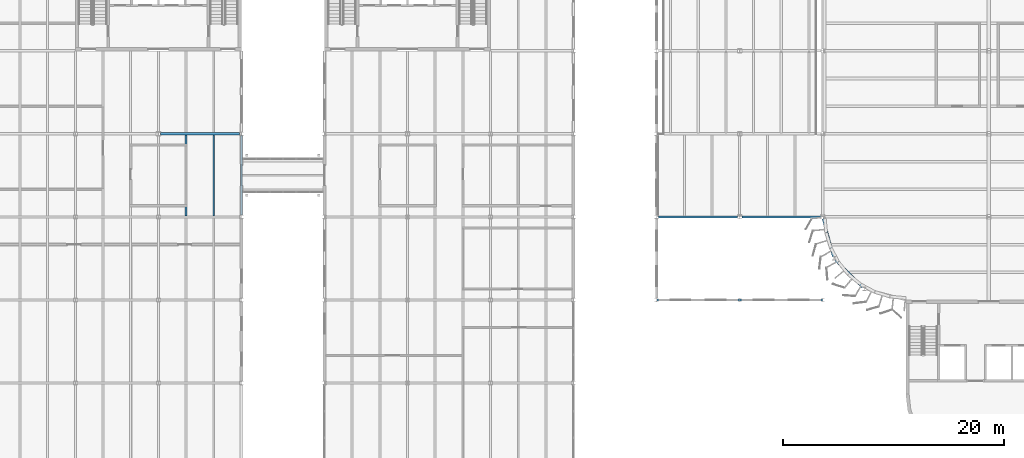
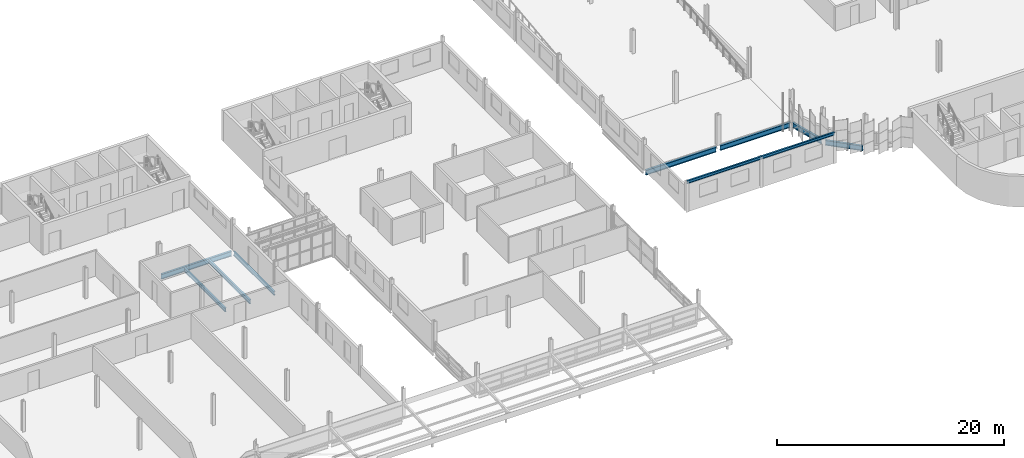
# One storey, part 50 of 214: 9 beams.
"""IFC4 building model written with IfcOpenShell, lengths in metres."""

from ifc_helpers import new_model, si_unit, direction, frame, origin, origin_2d, place, context, subcontext, project, spatial, i_section, extrude, material, material_profile, profile_set, type_object, element, save


model = new_model("IFC4")

# Units and contexts
model_context = context("Model", 3, precision=1e-05, world=origin(), true_north=direction((0.0, 1.0)))
body_context = subcontext(model_context, "Body", "Model", "MODEL_VIEW")
ifc_project = project(units=[si_unit("LENGTHUNIT", "METRE"), si_unit("AREAUNIT", "SQUARE_METRE"), si_unit("VOLUMEUNIT", "CUBIC_METRE"), si_unit("PLANEANGLEUNIT", "RADIAN"), si_unit("MASSUNIT", "GRAM", prefix="KILO")], contexts=[model_context])

# Site, building, storey
site_placement = place(None, origin())
site = spatial("IfcSite", under=ifc_project, at=site_placement, CompositionType="ELEMENT")
building_placement = place(site_placement, origin())
building = spatial("IfcBuilding", under=site, at=building_placement, Name="Parallax Yard Mobility Hub", CompositionType="ELEMENT")
storey_placement = place(building_placement, frame((0.0, 0.0, 3.300048828125)))
storey = spatial("IfcBuildingStorey", under=building, at=storey_placement, Name="L01", CompositionType="ELEMENT", Elevation=3.300048828125)

# Beams
ifc_material = material(Name="Steel ASTM A992", Category="steel")
ifc_material_profile_1 = material_profile(ifc_material, i_section(OverallWidth=0.1650390625, OverallDepth=0.31005859375, WebThickness=0.005859375, FlangeThickness=0.009765625, at=origin_2d()), Name="W310x39")
ifc_profile_set_1 = profile_set([ifc_material_profile_1], Name="Steel ASTM A992")
beam_type_1 = type_object("IfcBeamType", Name="South edge beam W310x39", PredefinedType="BEAM", material=ifc_profile_set_1)
beam_1_placement = place(storey_placement, frame((180.0, 22.5, 3.14501953125), z_axis=(1.0, 0.0, 0.0), x_axis=(0.0, 1.0, 0.0)))
element("IfcBeam", 1, at=beam_1_placement, inside=storey, type_object=beam_type_1, Name="South edge beam level L02 of the ramp house", PredefinedType="BEAM", context=body_context, shape_type="SweptSolid", body=[
    extrude(i_section(OverallWidth=0.1650390625, OverallDepth=0.31005859375, WebThickness=0.005859375, FlangeThickness=0.009765625, at=origin_2d()), origin(), (0.0, 0.0, 1.0), 15.0),
])
ifc_material_profile_2 = material_profile(ifc_material, i_section(OverallWidth=0.177978515625, OverallDepth=0.406005859375, WebThickness=0.0078125, FlangeThickness=0.0126953125, FilletRadius=0.01025390625, at=origin_2d()), Name="W410x60")
ifc_profile_set_2 = profile_set([ifc_material_profile_2], Name="Steel ASTM A992")
beam_type_2 = type_object("IfcBeamType", Name="W410x60 secondary beam", PredefinedType="JOIST", material=ifc_profile_set_2)
for number, where, z_axis, x_axis, name in (
    (2, (137.5, 30.1044921875, -0.343017578125), (0.0, 1.0, 0.0), (-1.0, 0.0, 0.0), "Secondary beam B1 level L01, 2.5 m east of line 19 of mobility service centre and workshops, span 4"),
    (3, (140.0, 30.1044921875, -0.343017578125), (0.0, 1.0, 0.0), (-1.0, 0.0, 0.0), "Secondary beam B1 level L01, 5 m east of line 19 of mobility service centre and workshops, span 4"),
):
    element("IfcBeam", number, at=place(storey_placement, frame(where, z_axis=z_axis, x_axis=x_axis)), inside=storey, type_object=beam_type_2, Name=name, PredefinedType="JOIST", context=body_context, shape_type="SweptSolid", body=[
        extrude(i_section(OverallWidth=0.177978515625, OverallDepth=0.406005859375, WebThickness=0.0078125, FlangeThickness=0.0126953125, FilletRadius=0.01025390625, at=origin_2d()), origin(), (0.0, 0.0, 1.0), 7.291015625),
    ])
ifc_material_profile_3 = material_profile(ifc_material, i_section(OverallWidth=0.178955078125, OverallDepth=0.408935546875, WebThickness=0.0087890625, FlangeThickness=0.014404296875, FilletRadius=0.01025390625, at=origin_2d()), Name="W410x67")
ifc_profile_set_3 = profile_set([ifc_material_profile_3], Name="Steel ASTM A992")
beam_type_3 = type_object("IfcBeamType", Name="W410x67 edge beam", PredefinedType="SPANDREL", material=ifc_profile_set_3)
beam_2_placement = place(storey_placement, frame((142.5, 30.153564453125, -0.344482421875), z_axis=(0.0, 1.0, 0.0), x_axis=(-1.0, 0.0, 0.0)))
element("IfcBeam", 4, at=beam_2_placement, inside=storey, type_object=beam_type_3, Name="Edge beam SB3 level L01, line 20 of mobility service centre and workshops, span 4", PredefinedType="SPANDREL", context=body_context, shape_type="SweptSolid", body=[
    extrude(i_section(OverallWidth=0.178955078125, OverallDepth=0.408935546875, WebThickness=0.0087890625, FlangeThickness=0.014404296875, FilletRadius=0.01025390625, at=origin_2d()), origin(), (0.0, 0.0, 1.0), 7.184814453125),
])
ifc_material_profile_4 = material_profile(ifc_material, i_section(OverallWidth=0.208984375, OverallDepth=0.532958984375, WebThickness=0.01025390625, FlangeThickness=0.015625, FilletRadius=0.0126953125, at=origin_2d()), Name="W530x92")
ifc_profile_set_4 = profile_set([ifc_material_profile_4], Name="Steel ASTM A992")
beam_type_4 = type_object("IfcBeamType", Name="W530x92 edge beam", PredefinedType="SPANDREL", material=ifc_profile_set_4)
beam_3_placement = place(storey_placement, frame((195.04150390625, 29.844970703125, -0.406494140625), z_axis=(0.258818289619, -0.96592602872, 0.0), x_axis=(0.96592602872, 0.258818289619, 0.0)))
element("IfcBeam", 5, at=beam_3_placement, inside=storey, type_object=beam_type_4, Name="Edge beam SB5 level L01, the south end of ramped parking decks, span 1", PredefinedType="SPANDREL", context=body_context, shape_type="SweptSolid", body=[
    extrude(i_section(OverallWidth=0.208984375, OverallDepth=0.532958984375, WebThickness=0.01025390625, FlangeThickness=0.015625, FilletRadius=0.0126953125, at=origin_2d()), origin(), (0.0, 0.0, 1.0), 3.562744140625),
])
beam_4_placement = place(storey_placement, frame((196.1572265625, 26.097412109375, -0.406494140625), z_axis=(0.707106781187, -0.707106781187, 0.0), x_axis=(0.707106781187, 0.707106781187, 0.0)))
element("IfcBeam", 6, at=beam_4_placement, inside=storey, type_object=beam_type_4, Name="Edge beam SB5 level L01, the south end of ramped parking decks, span 2", PredefinedType="SPANDREL", context=body_context, shape_type="SweptSolid", body=[
    extrude(i_section(OverallWidth=0.208984375, OverallDepth=0.532958984375, WebThickness=0.01025390625, FlangeThickness=0.015625, FilletRadius=0.0126953125, at=origin_2d()), origin(), (0.0, 0.0, 1.0), 3.450927734375),
])
ifc_material_profile_5 = material_profile(ifc_material, i_section(OverallWidth=0.208984375, OverallDepth=0.532958984375, WebThickness=0.01025390625, FlangeThickness=0.015625, FilletRadius=0.0126953125, at=origin_2d()), Name="W530x92")
ifc_profile_set_5 = profile_set([ifc_material_profile_5], Name="Steel ASTM A992")
beam_type_5 = type_object("IfcBeamType", Name="W530x92 girder", PredefinedType="BEAM", material=ifc_profile_set_5)
beam_5_placement = place(storey_placement, frame((180.152587890625, 30.0, -0.406494140625), z_axis=(1.0, 0.0, 0.0), x_axis=(0.0, 1.0, 0.0)))
element("IfcBeam", 7, at=beam_5_placement, inside=storey, type_object=beam_type_5, Name="Girder G2 level L01, line E of ramp house, span 1", PredefinedType="BEAM", context=body_context, shape_type="SweptSolid", body=[
    extrude(i_section(OverallWidth=0.208984375, OverallDepth=0.532958984375, WebThickness=0.01025390625, FlangeThickness=0.015625, FilletRadius=0.0126953125, at=origin_2d()), origin(), (0.0, 0.0, 1.0), 7.160888671875),
])
beam_6_placement = place(storey_placement, frame((187.6865234375, 30.0, -0.406494140625), z_axis=(1.0, 0.0, 0.0), x_axis=(0.0, 1.0, 0.0)))
element("IfcBeam", 8, at=beam_6_placement, inside=storey, type_object=beam_type_5, Name="Girder G2 level L01, line E of ramp house, span 2", PredefinedType="BEAM", context=body_context, shape_type="SweptSolid", body=[
    extrude(i_section(OverallWidth=0.208984375, OverallDepth=0.532958984375, WebThickness=0.01025390625, FlangeThickness=0.015625, FilletRadius=0.0126953125, at=origin_2d()), origin(), (0.0, 0.0, 1.0), 7.1494140625),
])
ifc_material_profile_6 = material_profile(ifc_material, i_section(OverallWidth=0.208984375, OverallDepth=0.532958984375, WebThickness=0.01025390625, FlangeThickness=0.015625, FilletRadius=0.0126953125, at=origin_2d()), Name="W530x92")
ifc_profile_set_6 = profile_set([ifc_material_profile_6], Name="Steel ASTM A992")
beam_type_6 = type_object("IfcBeamType", Name="W530x92 longitudinal beam", PredefinedType="BEAM", material=ifc_profile_set_6)
beam_7_placement = place(storey_placement, frame((135.197998046875, 37.5, -0.406494140625), z_axis=(1.0, 0.0, 0.0), x_axis=(0.0, 1.0, 0.0)))
element("IfcBeam", 9, at=beam_7_placement, inside=storey, type_object=beam_type_6, Name="Longitudinal beam SB6 level L01, line F of mobility service centre and workshops, span 6", PredefinedType="BEAM", context=body_context, shape_type="SweptSolid", body=[
    extrude(i_section(OverallWidth=0.208984375, OverallDepth=0.532958984375, WebThickness=0.01025390625, FlangeThickness=0.015625, FilletRadius=0.0126953125, at=origin_2d()), origin(), (0.0, 0.0, 1.0), 7.14697265625),
])

save(model, "model.ifc")
